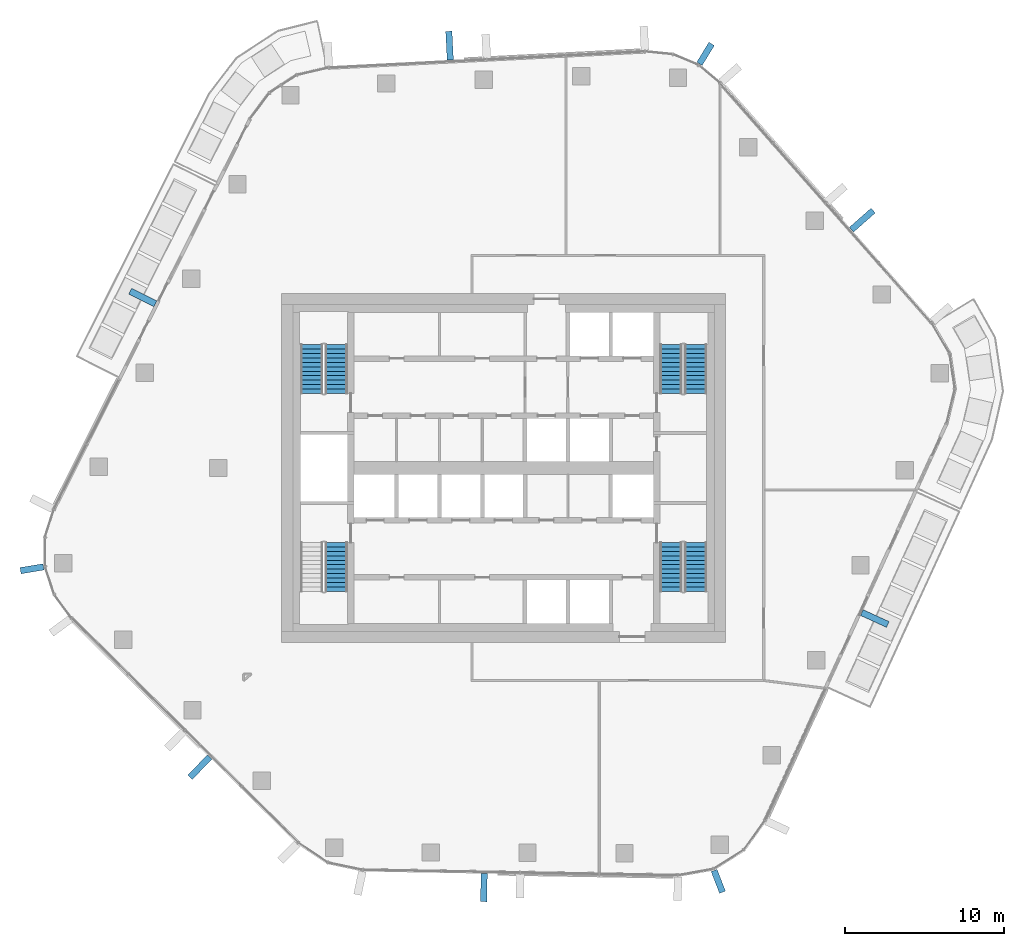
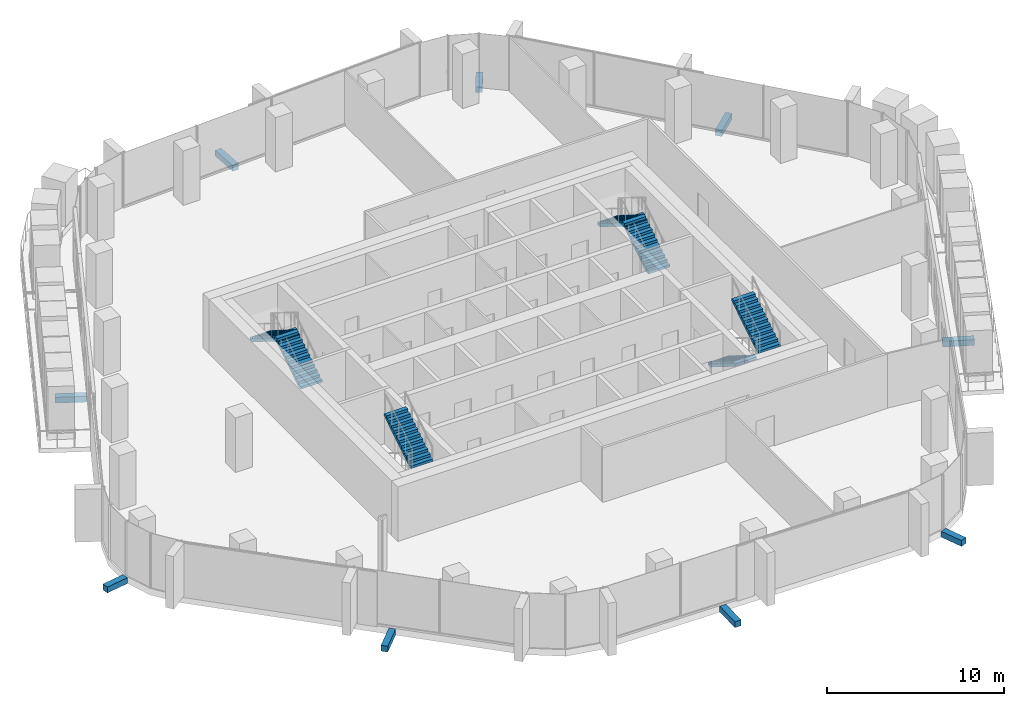
# One storey, part 14 of 21: 9 discrete accessories, 7 stair flights, 4 elements without a shape of their own.
"""IFC4 building model written with IfcOpenShell, lengths in metres."""

from ifc_helpers import new_model, si_unit, direction, frame, origin, origin_2d, place, context, subcontext, project, spatial, polyline, rectangle, outline, extrude, material, layer, layer_set, type_object, element, aggregate, save


model = new_model("IFC4")

# Units and contexts
model_context = context("Model", 3, precision=1e-05, world=origin(), true_north=direction((0.0, 1.0)))
body_context = subcontext(model_context, "Body", "Model", "MODEL_VIEW")
ifc_project = project(units=[si_unit("LENGTHUNIT", "METRE"), si_unit("AREAUNIT", "SQUARE_METRE"), si_unit("VOLUMEUNIT", "CUBIC_METRE"), si_unit("PLANEANGLEUNIT", "RADIAN"), si_unit("MASSUNIT", "GRAM", prefix="KILO")], contexts=[model_context])

# Site, building, storey
site_placement = place(None, origin())
site = spatial("IfcSite", under=ifc_project, at=site_placement, CompositionType="ELEMENT")
building_placement = place(site_placement, origin())
building = spatial("IfcBuilding", under=site, at=building_placement, Name="Dongbaek Canopy Tower", CompositionType="ELEMENT")
storey_placement = place(building_placement, frame((0.0, 0.0, 232.800048828125)))
storey = spatial("IfcBuildingStorey", under=building, at=storey_placement, Name="L48", CompositionType="ELEMENT", Elevation=232.800048828125)

# Stair, stair flights
ifc_material_1 = material(Name="Concrete C40/50", Category="concrete")
stair_type = type_object("IfcStairType", Name="Core exit stair", PredefinedType="HALF_TURN_STAIR", material=ifc_material_1)
stair_1_placement = place(storey_placement, origin())
stair_1 = element("IfcStair", 1, at=stair_1_placement, inside=storey, type_object=stair_type, Name="L48 exit stair A", PredefinedType="HALF_TURN_STAIR")
ifc_material_2 = material(Name="Concrete C40/50", Category="concrete")
ifc_layer = layer(ifc_material_2, 0.14990234375)
ifc_layer_set = layer_set([ifc_layer], Name="Core stair flight 150 waist")
stair_flight_type = type_object("IfcStairFlightType", Name="Core stair flight 150 waist", PredefinedType="STRAIGHT", material=ifc_layer_set)
stair_flight_1_placement = place(storey_placement, frame((12.10009765625, 4.699951171875, 0.0), z_axis=(0.0, 0.0, 1.0), x_axis=(0.0, 1.0, 0.0)))
stair_flight_1 = element("IfcStairFlight", 2, at=stair_flight_1_placement, type_object=stair_flight_type, Name="ST-A flight 1", NumberOfRisers=12, NumberOfTreads=11, PredefinedType="STRAIGHT", RiserHeight=0.175, TreadLength=0.28, context=body_context, shape_type="SweptSolid", body=[
    extrude(outline(polyline([(0.0, 0.0), (0.0, 0.175048828125), (0.280029296875, 0.175048828125), (0.280029296875, 0.35009765625), (0.56005859375, 0.35009765625), (0.56005859375, 0.52490234375), (0.840087890625, 0.52490234375), (0.840087890625, 0.699951171875), (1.1201171875, 0.699951171875), (1.1201171875, 0.875), (1.39990234375, 0.875), (1.39990234375, 1.050048828125), (1.679931640625, 1.050048828125), (1.679931640625, 1.22509765625), (1.9599609375, 1.22509765625), (1.9599609375, 1.39990234375), (2.239990234375, 1.39990234375), (2.239990234375, 1.574951171875), (2.52001953125, 1.574951171875), (2.52001953125, 1.75), (2.800048828125, 1.75), (2.800048828125, 1.925048828125), (3.080078125, 1.925048828125), (3.080078125, 2.10009765625), (3.080078125, 1.748291015625), (0.28271484375, 0.0), (0.0, 0.0)])), frame((0.0, 0.699951171875, 0.0), z_axis=(0.0, -1.0, 0.0), x_axis=(1.0, 0.0, 0.0)), (0.0, 0.0, 1.0), 1.39990234375),
])
stair_flight_2_placement = place(storey_placement, frame((10.550048828125, 7.780029296875, 2.099853515625), z_axis=(0.0, 0.0, 1.0), x_axis=(0.0, -1.0, 0.0)))
stair_flight_2 = element("IfcStairFlight", 3, at=stair_flight_2_placement, type_object=stair_flight_type, Name="ST-A flight 2", NumberOfRisers=12, NumberOfTreads=11, PredefinedType="STRAIGHT", RiserHeight=0.175, TreadLength=0.28, context=body_context, shape_type="SweptSolid", body=[
    extrude(outline(polyline([(0.0, 0.0), (0.0, 0.175048828125), (0.280029296875, 0.175048828125), (0.280029296875, 0.35009765625), (0.56005859375, 0.35009765625), (0.56005859375, 0.52490234375), (0.840087890625, 0.52490234375), (0.840087890625, 0.699951171875), (1.1201171875, 0.699951171875), (1.1201171875, 0.875), (1.39990234375, 0.875), (1.39990234375, 1.050048828125), (1.679931640625, 1.050048828125), (1.679931640625, 1.22509765625), (1.9599609375, 1.22509765625), (1.9599609375, 1.39990234375), (2.239990234375, 1.39990234375), (2.239990234375, 1.574951171875), (2.52001953125, 1.574951171875), (2.52001953125, 1.75), (2.800048828125, 1.75), (2.800048828125, 1.925048828125), (3.080078125, 1.925048828125), (3.080078125, 2.10009765625), (3.080078125, 1.748291015625), (0.28271484375, 0.0), (0.0, 0.0)])), frame((0.0, 0.699951171875, 0.0), z_axis=(0.0, -1.0, 0.0), x_axis=(1.0, 0.0, 0.0)), (0.0, 0.0, 1.0), 1.39990234375),
])
aggregate(stair_1, [stair_flight_1, stair_flight_2])

stair_2_placement = place(storey_placement, origin())
stair_2 = element("IfcStair", 4, at=stair_2_placement, inside=storey, type_object=stair_type, Name="L48 exit stair C", PredefinedType="HALF_TURN_STAIR")
stair_flight_3_placement = place(storey_placement, frame((-10.550048828125, 4.699951171875, 0.0), z_axis=(0.0, 0.0, 1.0), x_axis=(0.0, 1.0, 0.0)))
stair_flight_3 = element("IfcStairFlight", 5, at=stair_flight_3_placement, type_object=stair_flight_type, Name="ST-C flight 1", NumberOfRisers=12, NumberOfTreads=11, PredefinedType="STRAIGHT", RiserHeight=0.175, TreadLength=0.28, context=body_context, shape_type="SweptSolid", body=[
    extrude(outline(polyline([(0.0, 0.0), (0.0, 0.175048828125), (0.280029296875, 0.175048828125), (0.280029296875, 0.35009765625), (0.56005859375, 0.35009765625), (0.56005859375, 0.52490234375), (0.840087890625, 0.52490234375), (0.840087890625, 0.699951171875), (1.1201171875, 0.699951171875), (1.1201171875, 0.875), (1.39990234375, 0.875), (1.39990234375, 1.050048828125), (1.679931640625, 1.050048828125), (1.679931640625, 1.22509765625), (1.9599609375, 1.22509765625), (1.9599609375, 1.39990234375), (2.239990234375, 1.39990234375), (2.239990234375, 1.574951171875), (2.52001953125, 1.574951171875), (2.52001953125, 1.75), (2.800048828125, 1.75), (2.800048828125, 1.925048828125), (3.080078125, 1.925048828125), (3.080078125, 2.10009765625), (3.080078125, 1.748291015625), (0.28271484375, 0.0), (0.0, 0.0)])), frame((0.0, 0.699951171875, 0.0), z_axis=(0.0, -1.0, 0.0), x_axis=(1.0, 0.0, 0.0)), (0.0, 0.0, 1.0), 1.39990234375),
])
stair_flight_4_placement = place(storey_placement, frame((-12.10009765625, 7.780029296875, 2.099853515625), z_axis=(0.0, 0.0, 1.0), x_axis=(0.0, -1.0, 0.0)))
stair_flight_4 = element("IfcStairFlight", 6, at=stair_flight_4_placement, type_object=stair_flight_type, Name="ST-C flight 2", NumberOfRisers=12, NumberOfTreads=11, PredefinedType="STRAIGHT", RiserHeight=0.175, TreadLength=0.28, context=body_context, shape_type="SweptSolid", body=[
    extrude(outline(polyline([(0.0, 0.0), (0.0, 0.175048828125), (0.280029296875, 0.175048828125), (0.280029296875, 0.35009765625), (0.56005859375, 0.35009765625), (0.56005859375, 0.52490234375), (0.840087890625, 0.52490234375), (0.840087890625, 0.699951171875), (1.1201171875, 0.699951171875), (1.1201171875, 0.875), (1.39990234375, 0.875), (1.39990234375, 1.050048828125), (1.679931640625, 1.050048828125), (1.679931640625, 1.22509765625), (1.9599609375, 1.22509765625), (1.9599609375, 1.39990234375), (2.239990234375, 1.39990234375), (2.239990234375, 1.574951171875), (2.52001953125, 1.574951171875), (2.52001953125, 1.75), (2.800048828125, 1.75), (2.800048828125, 1.925048828125), (3.080078125, 1.925048828125), (3.080078125, 2.10009765625), (3.080078125, 1.748291015625), (0.28271484375, 0.0), (0.0, 0.0)])), frame((0.0, 0.699951171875, 0.0), z_axis=(0.0, -1.0, 0.0), x_axis=(1.0, 0.0, 0.0)), (0.0, 0.0, 1.0), 1.39990234375),
])
aggregate(stair_2, [stair_flight_3, stair_flight_4])

stair_3_placement = place(storey_placement, origin())
stair_3 = element("IfcStair", 7, at=stair_3_placement, inside=storey, type_object=stair_type, Name="L48 exit stair B", PredefinedType="HALF_TURN_STAIR")
stair_flight_5_placement = place(storey_placement, frame((10.550048828125, -4.699951171875, 0.0), z_axis=(0.0, 0.0, 1.0), x_axis=(0.0, -1.0, 0.0)))
stair_flight_5 = element("IfcStairFlight", 8, at=stair_flight_5_placement, type_object=stair_flight_type, Name="ST-B flight 1", NumberOfRisers=12, NumberOfTreads=11, PredefinedType="STRAIGHT", RiserHeight=0.175, TreadLength=0.28, context=body_context, shape_type="SweptSolid", body=[
    extrude(outline(polyline([(0.0, 0.0), (0.0, 0.175048828125), (0.280029296875, 0.175048828125), (0.280029296875, 0.35009765625), (0.56005859375, 0.35009765625), (0.56005859375, 0.52490234375), (0.840087890625, 0.52490234375), (0.840087890625, 0.699951171875), (1.1201171875, 0.699951171875), (1.1201171875, 0.875), (1.39990234375, 0.875), (1.39990234375, 1.050048828125), (1.679931640625, 1.050048828125), (1.679931640625, 1.22509765625), (1.9599609375, 1.22509765625), (1.9599609375, 1.39990234375), (2.239990234375, 1.39990234375), (2.239990234375, 1.574951171875), (2.52001953125, 1.574951171875), (2.52001953125, 1.75), (2.800048828125, 1.75), (2.800048828125, 1.925048828125), (3.080078125, 1.925048828125), (3.080078125, 2.10009765625), (3.080078125, 1.748291015625), (0.28271484375, 0.0), (0.0, 0.0)])), frame((0.0, 0.699951171875, 0.0), z_axis=(0.0, -1.0, 0.0), x_axis=(1.0, 0.0, 0.0)), (0.0, 0.0, 1.0), 1.39990234375),
])
stair_flight_6_placement = place(storey_placement, frame((12.10009765625, -7.780029296875, 2.099853515625), z_axis=(0.0, 0.0, 1.0), x_axis=(0.0, 1.0, 0.0)))
stair_flight_6 = element("IfcStairFlight", 9, at=stair_flight_6_placement, type_object=stair_flight_type, Name="ST-B flight 2", NumberOfRisers=12, NumberOfTreads=11, PredefinedType="STRAIGHT", RiserHeight=0.175, TreadLength=0.28, context=body_context, shape_type="SweptSolid", body=[
    extrude(outline(polyline([(0.0, 0.0), (0.0, 0.175048828125), (0.280029296875, 0.175048828125), (0.280029296875, 0.35009765625), (0.56005859375, 0.35009765625), (0.56005859375, 0.52490234375), (0.840087890625, 0.52490234375), (0.840087890625, 0.699951171875), (1.1201171875, 0.699951171875), (1.1201171875, 0.875), (1.39990234375, 0.875), (1.39990234375, 1.050048828125), (1.679931640625, 1.050048828125), (1.679931640625, 1.22509765625), (1.9599609375, 1.22509765625), (1.9599609375, 1.39990234375), (2.239990234375, 1.39990234375), (2.239990234375, 1.574951171875), (2.52001953125, 1.574951171875), (2.52001953125, 1.75), (2.800048828125, 1.75), (2.800048828125, 1.925048828125), (3.080078125, 1.925048828125), (3.080078125, 2.10009765625), (3.080078125, 1.748291015625), (0.28271484375, 0.0), (0.0, 0.0)])), frame((0.0, 0.699951171875, 0.0), z_axis=(0.0, -1.0, 0.0), x_axis=(1.0, 0.0, 0.0)), (0.0, 0.0, 1.0), 1.39990234375),
])
aggregate(stair_3, [stair_flight_5, stair_flight_6])

# Stair, stair flight
stair_4_placement = place(storey_placement, origin())
stair_4 = element("IfcStair", 10, at=stair_4_placement, inside=storey, type_object=stair_type, Name="L48 exit stair D", PredefinedType="HALF_TURN_STAIR")
stair_flight_7_placement = place(storey_placement, frame((-10.550048828125, -7.780029296875, 2.099853515625), z_axis=(0.0, 0.0, 1.0), x_axis=(0.0, 1.0, 0.0)))
stair_flight_7 = element("IfcStairFlight", 11, at=stair_flight_7_placement, type_object=stair_flight_type, Name="ST-D flight 2", NumberOfRisers=12, NumberOfTreads=11, PredefinedType="STRAIGHT", RiserHeight=0.175, TreadLength=0.28, context=body_context, shape_type="SweptSolid", body=[
    extrude(outline(polyline([(0.0, 0.0), (0.0, 0.175048828125), (0.280029296875, 0.175048828125), (0.280029296875, 0.35009765625), (0.56005859375, 0.35009765625), (0.56005859375, 0.52490234375), (0.840087890625, 0.52490234375), (0.840087890625, 0.699951171875), (1.1201171875, 0.699951171875), (1.1201171875, 0.875), (1.39990234375, 0.875), (1.39990234375, 1.050048828125), (1.679931640625, 1.050048828125), (1.679931640625, 1.22509765625), (1.9599609375, 1.22509765625), (1.9599609375, 1.39990234375), (2.239990234375, 1.39990234375), (2.239990234375, 1.574951171875), (2.52001953125, 1.574951171875), (2.52001953125, 1.75), (2.800048828125, 1.75), (2.800048828125, 1.925048828125), (3.080078125, 1.925048828125), (3.080078125, 2.10009765625), (3.080078125, 1.748291015625), (0.28271484375, 0.0), (0.0, 0.0)])), frame((0.0, 0.699951171875, 0.0), z_axis=(0.0, -1.0, 0.0), x_axis=(1.0, 0.0, 0.0)), (0.0, 0.0, 1.0), 1.39990234375),
])
aggregate(stair_4, [stair_flight_7])

# Discrete accessories
ifc_material_3 = material(Name="Galvanised steel S355 bracket", Category="steel")
discrete_accessory_type = type_object("IfcDiscreteAccessoryType", Name="Crease fin bracket BR3 400", PredefinedType="BRACKET", material=ifc_material_3)
discrete_accessory_1_placement = place(storey_placement, frame((22.61376953125, 15.629638671875, -0.425048828125), z_axis=(0.0, 0.0, 1.0), x_axis=(0.749829375126, 0.6616312479, 0.0)))
element("IfcDiscreteAccessory", 12, at=discrete_accessory_1_placement, inside=storey, type_object=discrete_accessory_type, Name="Crease fin bracket L48 F0", PredefinedType="BRACKET", context=body_context, shape_type="SweptSolid", body=[
    extrude(rectangle(XDim=1.82080078125, YDim=0.39990234375, at=origin_2d()), origin(), (0.0, 0.0, 1.0), 0.39990234375),
])
discrete_accessory_2_placement = place(storey_placement, frame((-3.4140625, 26.633544921875, -0.425048828125), z_axis=(0.0, 0.0, 1.0), x_axis=(-0.051171638795, 0.998689873476, 0.0)))
element("IfcDiscreteAccessory", 13, at=discrete_accessory_2_placement, inside=storey, type_object=discrete_accessory_type, Name="Crease fin bracket L48 F1", PredefinedType="BRACKET", context=body_context, shape_type="SweptSolid", body=[
    extrude(rectangle(XDim=1.810302734375, YDim=0.39990234375, at=origin_2d()), origin(), (0.0, 0.0, 1.0), 0.39990234375),
])
discrete_accessory_3_placement = place(storey_placement, frame((-22.761474609375, 10.75146484375, -0.425048828125), z_axis=(0.0, 0.0, 1.0), x_axis=(-0.893577541326, 0.448908874536, 0.0)))
element("IfcDiscreteAccessory", 14, at=discrete_accessory_3_placement, inside=storey, type_object=discrete_accessory_type, Name="Crease fin bracket L48 F2", PredefinedType="BRACKET", context=body_context, shape_type="SweptSolid", body=[
    extrude(rectangle(XDim=1.78515625, YDim=0.39990234375, at=origin_2d()), origin(), (0.0, 0.0, 1.0), 0.39990234375),
])
discrete_accessory_4_placement = place(storey_placement, frame((-19.15869140625, -18.862060546875, -0.425048828125), z_axis=(0.0, 0.0, 1.0), x_axis=(-0.704038274708, -0.71016202922, 0.0)))
element("IfcDiscreteAccessory", 15, at=discrete_accessory_4_placement, inside=storey, type_object=discrete_accessory_type, Name="Crease fin bracket L48 F3", PredefinedType="BRACKET", context=body_context, shape_type="SweptSolid", body=[
    extrude(rectangle(XDim=1.7646484375, YDim=0.39990234375, at=origin_2d()), origin(), (0.0, 0.0, 1.0), 0.39990234375),
])
discrete_accessory_5_placement = place(storey_placement, frame((-1.24658203125, -26.460205078125, -0.425048828125), z_axis=(0.0, 0.0, 1.0), x_axis=(-0.016993452933, -0.999855600853, 0.0)))
element("IfcDiscreteAccessory", 16, at=discrete_accessory_5_placement, inside=storey, type_object=discrete_accessory_type, Name="Crease fin bracket L48 F4", PredefinedType="BRACKET", context=body_context, shape_type="SweptSolid", body=[
    extrude(rectangle(XDim=1.77587890625, YDim=0.39990234375, at=origin_2d()), origin(), (0.0, 0.0, 1.0), 0.39990234375),
])
discrete_accessory_6_placement = place(storey_placement, frame((23.3994140625, -9.49169921875, -0.425048828125), z_axis=(0.0, 0.0, 1.0), x_axis=(0.909313107473, -0.416112572001, 0.0)))
element("IfcDiscreteAccessory", 17, at=discrete_accessory_6_placement, inside=storey, type_object=discrete_accessory_type, Name="Crease fin bracket L48 F5", PredefinedType="BRACKET", context=body_context, shape_type="SweptSolid", body=[
    extrude(rectangle(XDim=1.804443359375, YDim=0.39990234375, at=origin_2d()), origin(), (0.0, 0.0, 1.0), 0.39990234375),
])
for number, where, z_axis, x_axis, name in (
    (18, (12.7275390625, 26.114990234375, -0.425048828125), (0.0, 0.0, 1.0), (0.521099012614, 0.853496232594, 0.0), "Corner fin bracket L48 K1"),
    (19, (-29.7421875, -6.354736328125, -0.425048828125), (0.0, 0.0, 1.0), (-0.98689179442, -0.161383351389, 0.0), "Corner fin bracket L48 K3"),
    (20, (13.53076171875, -26.062255859375, -0.425048828125), (0.0, 0.0, 1.0), (0.360882446959, -0.932611312111, 0.0), "Corner fin bracket L48 K5"),
):
    element("IfcDiscreteAccessory", number, at=place(storey_placement, frame(where, z_axis=z_axis, x_axis=x_axis)), inside=storey, type_object=discrete_accessory_type, Name=name, PredefinedType="BRACKET", context=body_context, shape_type="SweptSolid", body=[
        extrude(rectangle(XDim=1.469970703125, YDim=0.39990234375, at=origin_2d()), origin(), (0.0, 0.0, 1.0), 0.39990234375),
    ])

save(model, "model.ifc")
